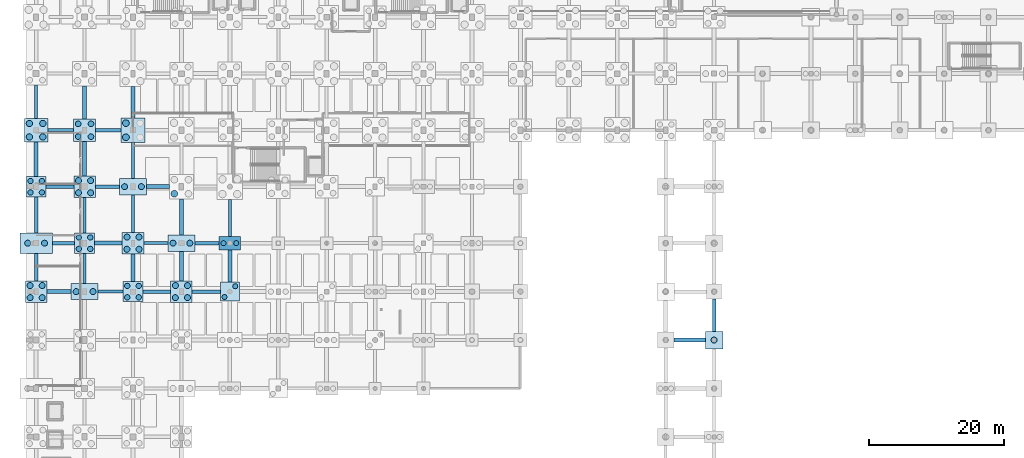
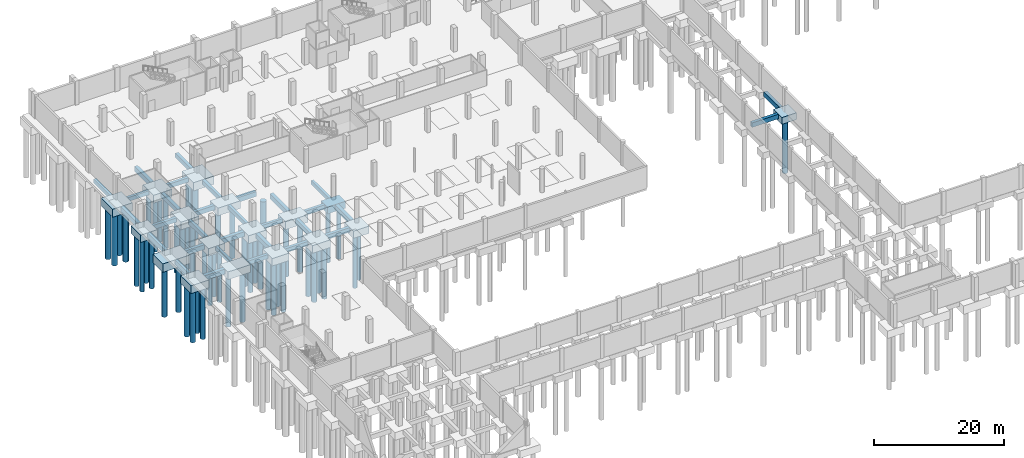
# One storey, part 6 of 35: 52 piles, 48 footings.
"""IFC4 building model written with IfcOpenShell, lengths in metres."""

from ifc_helpers import new_model, si_unit, direction, frame, origin, origin_2d, place, context, subcontext, project, spatial, rectangle, circle, extrude, material, material_profile, profile_set, type_object, element, save


model = new_model("IFC4")

# Units and contexts
model_context = context("Model", 3, precision=1e-05, world=origin(), true_north=direction((0.0, 1.0)))
body_context = subcontext(model_context, "Body", "Model", "MODEL_VIEW")
ifc_project = project(units=[si_unit("LENGTHUNIT", "METRE"), si_unit("AREAUNIT", "SQUARE_METRE"), si_unit("VOLUMEUNIT", "CUBIC_METRE"), si_unit("PLANEANGLEUNIT", "RADIAN"), si_unit("MASSUNIT", "GRAM", prefix="KILO")], contexts=[model_context])

# Site, building, storey
site_placement = place(None, origin())
site = spatial("IfcSite", under=ifc_project, at=site_placement, CompositionType="ELEMENT")
building_placement = place(site_placement, origin())
building = spatial("IfcBuilding", under=site, at=building_placement, Name="Kalluvel Institute of Natural Sciences", CompositionType="ELEMENT")
storey_placement = place(building_placement, frame((0.0, 0.0, -4.5)))
storey = spatial("IfcBuildingStorey", under=building, at=storey_placement, Name="B1", CompositionType="ELEMENT", Elevation=-4.5)

# Footings
ifc_material = material(Name="Concrete M40", Category="concrete")
footing_type_1 = type_object("IfcFootingType", Name="FB-450x750", PredefinedType="FOOTING_BEAM", material=ifc_material)
footing_1_placement = place(storey_placement, frame((25.050048828125, 78.800048828125, -1.199951171875), z_axis=(0.0, 0.0, 1.0), x_axis=(1.0, 0.0, 0.0)))
element("IfcFooting", 1, at=footing_1_placement, inside=storey, type_object=footing_type_1, Name="Foundation tie beam GB-X-080", PredefinedType="FOOTING_BEAM", context=body_context, shape_type="SweptSolid", body=[
    extrude(rectangle(XDim=3.699951171875, YDim=0.449951171875, at=origin_2d()), origin(), (0.0, 0.0, 1.0), 0.75),
])
footing_2_placement = place(storey_placement, frame((31.800048828125, 86.0, -1.199951171875), z_axis=(0.0, 0.0, 1.0), x_axis=(1.0, 0.0, 0.0)))
element("IfcFooting", 2, at=footing_2_placement, inside=storey, type_object=footing_type_1, Name="Foundation tie beam GB-X-092", PredefinedType="FOOTING_BEAM", context=body_context, shape_type="SweptSolid", body=[
    extrude(rectangle(XDim=3.60009765625, YDim=0.449951171875, at=origin_2d()), origin(), (0.0, 0.0, 1.0), 0.75),
])
footing_3_placement = place(storey_placement, frame((17.64990234375, 102.800048828125, -1.199951171875), z_axis=(0.0, 0.0, 1.0), x_axis=(1.0, 0.0, 0.0)))
element("IfcFooting", 3, at=footing_3_placement, inside=storey, type_object=footing_type_1, Name="Foundation tie beam GB-X-112", PredefinedType="FOOTING_BEAM", context=body_context, shape_type="SweptSolid", body=[
    extrude(rectangle(XDim=3.800048828125, YDim=0.449951171875, at=origin_2d()), origin(), (0.0, 0.0, 1.0), 0.75),
])
footing_4_placement = place(storey_placement, frame((14.0, 107.050048828125, -1.199951171875), z_axis=(0.0, 0.0, 1.0), x_axis=(1.0, 0.0, 0.0)))
element("IfcFooting", 4, at=footing_4_placement, inside=storey, type_object=footing_type_1, Name="Foundation tie beam GB-Y-208", PredefinedType="FOOTING_BEAM", context=body_context, shape_type="SweptSolid", body=[
    extrude(rectangle(XDim=0.449951171875, YDim=5.0, at=origin_2d()), origin(), (0.0, 0.0, 1.0), 0.75),
])
footing_5_placement = place(storey_placement, frame((21.199951171875, 82.25, -1.199951171875), z_axis=(0.0, 0.0, 1.0), x_axis=(1.0, 0.0, 0.0)))
element("IfcFooting", 5, at=footing_5_placement, inside=storey, type_object=footing_type_1, Name="Foundation tie beam GB-Y-220", PredefinedType="FOOTING_BEAM", context=body_context, shape_type="SweptSolid", body=[
    extrude(rectangle(XDim=0.449951171875, YDim=4.5, at=origin_2d()), origin(), (0.0, 0.0, 1.0), 0.75),
])
footing_6_placement = place(storey_placement, frame((28.39990234375, 90.39990234375, -1.199951171875), z_axis=(0.0, 0.0, 1.0), x_axis=(1.0, 0.0, 0.0)))
element("IfcFooting", 6, at=footing_6_placement, inside=storey, type_object=footing_type_1, Name="Foundation tie beam GB-Y-236", PredefinedType="FOOTING_BEAM", context=body_context, shape_type="SweptSolid", body=[
    extrude(rectangle(XDim=0.449951171875, YDim=5.60009765625, at=origin_2d()), origin(), (0.0, 0.0, 1.0), 0.75),
])
footing_7_placement = place(storey_placement, frame((42.800048828125, 89.75, -1.199951171875), z_axis=(0.0, 0.0, 1.0), x_axis=(1.0, 0.0, 0.0)))
element("IfcFooting", 7, at=footing_7_placement, inside=storey, type_object=footing_type_1, Name="Foundation tie beam GB-Y-260", PredefinedType="FOOTING_BEAM", context=body_context, shape_type="SweptSolid", body=[
    extrude(rectangle(XDim=0.449951171875, YDim=5.5, at=origin_2d()), origin(), (0.0, 0.0, 1.0), 0.75),
])
footing_type_2 = type_object("IfcFootingType", Name="FB-500x800", PredefinedType="FOOTING_BEAM", material=ifc_material)
footing_8_placement = place(storey_placement, frame((31.949951171875, 78.800048828125, -1.25), z_axis=(0.0, 0.0, 1.0), x_axis=(1.0, 0.0, 0.0)))
element("IfcFooting", 8, at=footing_8_placement, inside=storey, type_object=footing_type_2, Name="Foundation tie beam GB-X-081", PredefinedType="FOOTING_BEAM", context=body_context, shape_type="SweptSolid", body=[
    extrude(rectangle(XDim=4.10009765625, YDim=0.5, at=origin_2d()), origin(), (0.0, 0.0, 1.0), 0.800048828125),
])
footing_9_placement = place(storey_placement, frame((39.39990234375, 86.0, -1.25), z_axis=(0.0, 0.0, 1.0), x_axis=(1.0, 0.0, 0.0)))
element("IfcFooting", 9, at=footing_9_placement, inside=storey, type_object=footing_type_2, Name="Foundation tie beam GB-X-093", PredefinedType="FOOTING_BEAM", context=body_context, shape_type="SweptSolid", body=[
    extrude(rectangle(XDim=3.60009765625, YDim=0.5, at=origin_2d()), origin(), (0.0, 0.0, 1.0), 0.800048828125),
])
footing_10_placement = place(storey_placement, frame((17.550048828125, 94.39990234375, -1.25), z_axis=(0.0, 0.0, 1.0), x_axis=(1.0, 0.0, 0.0)))
element("IfcFooting", 10, at=footing_10_placement, inside=storey, type_object=footing_type_2, Name="Foundation tie beam GB-X-101", PredefinedType="FOOTING_BEAM", context=body_context, shape_type="SweptSolid", body=[
    extrude(rectangle(XDim=4.10009765625, YDim=0.5, at=origin_2d()), origin(), (0.0, 0.0, 1.0), 0.800048828125),
])
footing_11_placement = place(storey_placement, frame((24.72509765625, 102.800048828125, -1.25), z_axis=(0.0, 0.0, 1.0), x_axis=(1.0, 0.0, 0.0)))
element("IfcFooting", 11, at=footing_11_placement, inside=storey, type_object=footing_type_2, Name="Foundation tie beam GB-X-113", PredefinedType="FOOTING_BEAM", context=body_context, shape_type="SweptSolid", body=[
    extrude(rectangle(XDim=3.75, YDim=0.5, at=origin_2d()), origin(), (0.0, 0.0, 1.0), 0.800048828125),
])
footing_12_placement = place(storey_placement, frame((14.0, 82.449951171875, -1.25), z_axis=(0.0, 0.0, 1.0), x_axis=(1.0, 0.0, 0.0)))
element("IfcFooting", 12, at=footing_12_placement, inside=storey, type_object=footing_type_2, Name="Foundation tie beam GB-Y-205", PredefinedType="FOOTING_BEAM", context=body_context, shape_type="SweptSolid", body=[
    extrude(rectangle(XDim=0.5, YDim=4.10009765625, at=origin_2d()), origin(), (0.0, 0.0, 1.0), 0.800048828125),
])
footing_13_placement = place(storey_placement, frame((21.199951171875, 90.14990234375, -1.25), z_axis=(0.0, 0.0, 1.0), x_axis=(1.0, 0.0, 0.0)))
element("IfcFooting", 13, at=footing_13_placement, inside=storey, type_object=footing_type_2, Name="Foundation tie beam GB-Y-221", PredefinedType="FOOTING_BEAM", context=body_context, shape_type="SweptSolid", body=[
    extrude(rectangle(XDim=0.5, YDim=5.300048828125, at=origin_2d()), origin(), (0.0, 0.0, 1.0), 0.800048828125),
])
footing_14_placement = place(storey_placement, frame((28.39990234375, 98.300048828125, -1.25), z_axis=(0.0, 0.0, 1.0), x_axis=(1.0, 0.0, 0.0)))
element("IfcFooting", 14, at=footing_14_placement, inside=storey, type_object=footing_type_2, Name="Foundation tie beam GB-Y-237", PredefinedType="FOOTING_BEAM", context=body_context, shape_type="SweptSolid", body=[
    extrude(rectangle(XDim=0.5, YDim=5.39990234375, at=origin_2d()), origin(), (0.0, 0.0, 1.0), 0.800048828125),
])
footing_type_3 = type_object("IfcFootingType", Name="FB-550x850", PredefinedType="FOOTING_BEAM", material=ifc_material)
footing_15_placement = place(storey_placement, frame((111.14990234375, 71.60009765625, -0.85009765625), z_axis=(0.0, 0.0, 1.0), x_axis=(1.0, 0.0, 0.0)))
element("IfcFooting", 15, at=footing_15_placement, inside=storey, type_object=footing_type_3, Name="Foundation tie beam GB-X-078", PredefinedType="FOOTING_BEAM", context=body_context, shape_type="SweptSolid", body=[
    extrude(rectangle(XDim=4.699951171875, YDim=0.550048828125, at=origin_2d()), origin(), (0.0, 0.0, 1.0), 0.85009765625),
])
footing_16_placement = place(storey_placement, frame((39.300048828125, 78.800048828125, -1.300048828125), z_axis=(0.0, 0.0, 1.0), x_axis=(1.0, 0.0, 0.0)))
element("IfcFooting", 16, at=footing_16_placement, inside=storey, type_object=footing_type_3, Name="Foundation tie beam GB-X-082", PredefinedType="FOOTING_BEAM", context=body_context, shape_type="SweptSolid", body=[
    extrude(rectangle(XDim=4.199951171875, YDim=0.550048828125, at=origin_2d()), origin(), (0.0, 0.0, 1.0), 0.85009765625),
])
footing_17_placement = place(storey_placement, frame((18.050048828125, 86.0, -1.300048828125), z_axis=(0.0, 0.0, 1.0), x_axis=(1.0, 0.0, 0.0)))
element("IfcFooting", 17, at=footing_17_placement, inside=storey, type_object=footing_type_3, Name="Foundation tie beam GB-X-090", PredefinedType="FOOTING_BEAM", context=body_context, shape_type="SweptSolid", body=[
    extrude(rectangle(XDim=3.300048828125, YDim=0.550048828125, at=origin_2d()), origin(), (0.0, 0.0, 1.0), 0.85009765625),
])
footing_18_placement = place(storey_placement, frame((24.60009765625, 94.39990234375, -1.300048828125), z_axis=(0.0, 0.0, 1.0), x_axis=(1.0, 0.0, 0.0)))
element("IfcFooting", 18, at=footing_18_placement, inside=storey, type_object=footing_type_3, Name="Foundation tie beam GB-X-102", PredefinedType="FOOTING_BEAM", context=body_context, shape_type="SweptSolid", body=[
    extrude(rectangle(XDim=3.60009765625, YDim=0.550048828125, at=origin_2d()), origin(), (0.0, 0.0, 1.0), 0.85009765625),
])
footing_19_placement = place(storey_placement, frame((14.0, 90.199951171875, -1.300048828125), z_axis=(0.0, 0.0, 1.0), x_axis=(1.0, 0.0, 0.0)))
element("IfcFooting", 19, at=footing_19_placement, inside=storey, type_object=footing_type_3, Name="Foundation tie beam GB-Y-206", PredefinedType="FOOTING_BEAM", context=body_context, shape_type="SweptSolid", body=[
    extrude(rectangle(XDim=0.550048828125, YDim=5.39990234375, at=origin_2d()), origin(), (0.0, 0.0, 1.0), 0.85009765625),
])
footing_20_placement = place(storey_placement, frame((21.199951171875, 98.574951171875, -1.300048828125), z_axis=(0.0, 0.0, 1.0), x_axis=(1.0, 0.0, 0.0)))
element("IfcFooting", 20, at=footing_20_placement, inside=storey, type_object=footing_type_3, Name="Foundation tie beam GB-Y-222", PredefinedType="FOOTING_BEAM", context=body_context, shape_type="SweptSolid", body=[
    extrude(rectangle(XDim=0.550048828125, YDim=5.14990234375, at=origin_2d()), origin(), (0.0, 0.0, 1.0), 0.85009765625),
])
footing_21_placement = place(storey_placement, frame((28.39990234375, 106.949951171875, -1.300048828125), z_axis=(0.0, 0.0, 1.0), x_axis=(1.0, 0.0, 0.0)))
element("IfcFooting", 21, at=footing_21_placement, inside=storey, type_object=footing_type_3, Name="Foundation tie beam GB-Y-238", PredefinedType="FOOTING_BEAM", context=body_context, shape_type="SweptSolid", body=[
    extrude(rectangle(XDim=0.550048828125, YDim=4.699951171875, at=origin_2d()), origin(), (0.0, 0.0, 1.0), 0.85009765625),
])
footing_22_placement = place(storey_placement, frame((35.60009765625, 82.60009765625, -1.300048828125), z_axis=(0.0, 0.0, 1.0), x_axis=(1.0, 0.0, 0.0)))
element("IfcFooting", 22, at=footing_22_placement, inside=storey, type_object=footing_type_3, Name="Foundation tie beam GB-Y-250", PredefinedType="FOOTING_BEAM", context=body_context, shape_type="SweptSolid", body=[
    extrude(rectangle(XDim=0.550048828125, YDim=4.39990234375, at=origin_2d()), origin(), (0.0, 0.0, 1.0), 0.85009765625),
])
footing_23_placement = place(storey_placement, frame((114.800048828125, 75.300048828125, -0.85009765625), z_axis=(0.0, 0.0, 1.0), x_axis=(1.0, 0.0, 0.0)))
element("IfcFooting", 23, at=footing_23_placement, inside=storey, type_object=footing_type_3, Name="Foundation tie beam GB-Y-350", PredefinedType="FOOTING_BEAM", context=body_context, shape_type="SweptSolid", body=[
    extrude(rectangle(XDim=0.550048828125, YDim=4.800048828125, at=origin_2d()), origin(), (0.0, 0.0, 1.0), 0.85009765625),
])
footing_type_4 = type_object("IfcFootingType", Name="FB-600x900", PredefinedType="FOOTING_BEAM", material=ifc_material)
footing_24_placement = place(storey_placement, frame((17.39990234375, 78.800048828125, -1.349853515625), z_axis=(0.0, 0.0, 1.0), x_axis=(1.0, 0.0, 0.0)))
element("IfcFooting", 24, at=footing_24_placement, inside=storey, type_object=footing_type_4, Name="Foundation tie beam GB-X-079", PredefinedType="FOOTING_BEAM", context=body_context, shape_type="SweptSolid", body=[
    extrude(rectangle(XDim=3.60009765625, YDim=0.60009765625, at=origin_2d()), origin(), (0.0, 0.0, 1.0), 0.89990234375),
])
footing_25_placement = place(storey_placement, frame((24.75, 86.0, -1.349853515625), z_axis=(0.0, 0.0, 1.0), x_axis=(1.0, 0.0, 0.0)))
element("IfcFooting", 25, at=footing_25_placement, inside=storey, type_object=footing_type_4, Name="Foundation tie beam GB-X-091", PredefinedType="FOOTING_BEAM", context=body_context, shape_type="SweptSolid", body=[
    extrude(rectangle(XDim=4.10009765625, YDim=0.60009765625, at=origin_2d()), origin(), (0.0, 0.0, 1.0), 0.89990234375),
])
footing_26_placement = place(storey_placement, frame((32.10009765625, 94.39990234375, -1.349853515625), z_axis=(0.0, 0.0, 1.0), x_axis=(1.0, 0.0, 0.0)))
element("IfcFooting", 26, at=footing_26_placement, inside=storey, type_object=footing_type_4, Name="Foundation tie beam GB-X-103", PredefinedType="FOOTING_BEAM", context=body_context, shape_type="SweptSolid", body=[
    extrude(rectangle(XDim=3.39990234375, YDim=0.60009765625, at=origin_2d()), origin(), (0.0, 0.0, 1.0), 0.89990234375),
])
footing_27_placement = place(storey_placement, frame((14.0, 98.47509765625, -1.349853515625), z_axis=(0.0, 0.0, 1.0), x_axis=(1.0, 0.0, 0.0)))
element("IfcFooting", 27, at=footing_27_placement, inside=storey, type_object=footing_type_4, Name="Foundation tie beam GB-Y-207", PredefinedType="FOOTING_BEAM", context=body_context, shape_type="SweptSolid", body=[
    extrude(rectangle(XDim=0.60009765625, YDim=5.14990234375, at=origin_2d()), origin(), (0.0, 0.0, 1.0), 0.89990234375),
])
footing_28_placement = place(storey_placement, frame((21.199951171875, 106.925048828125, -1.349853515625), z_axis=(0.0, 0.0, 1.0), x_axis=(1.0, 0.0, 0.0)))
element("IfcFooting", 28, at=footing_28_placement, inside=storey, type_object=footing_type_4, Name="Foundation tie beam GB-Y-223", PredefinedType="FOOTING_BEAM", context=body_context, shape_type="SweptSolid", body=[
    extrude(rectangle(XDim=0.60009765625, YDim=4.949951171875, at=origin_2d()), origin(), (0.0, 0.0, 1.0), 0.89990234375),
])
footing_29_placement = place(storey_placement, frame((28.39990234375, 82.35009765625, -1.349853515625), z_axis=(0.0, 0.0, 1.0), x_axis=(1.0, 0.0, 0.0)))
element("IfcFooting", 29, at=footing_29_placement, inside=storey, type_object=footing_type_4, Name="Foundation tie beam GB-Y-235", PredefinedType="FOOTING_BEAM", context=body_context, shape_type="SweptSolid", body=[
    extrude(rectangle(XDim=0.60009765625, YDim=4.10009765625, at=origin_2d()), origin(), (0.0, 0.0, 1.0), 0.89990234375),
])
footing_30_placement = place(storey_placement, frame((35.60009765625, 89.89990234375, -1.349853515625), z_axis=(0.0, 0.0, 1.0), x_axis=(1.0, 0.0, 0.0)))
element("IfcFooting", 30, at=footing_30_placement, inside=storey, type_object=footing_type_4, Name="Foundation tie beam GB-Y-251", PredefinedType="FOOTING_BEAM", context=body_context, shape_type="SweptSolid", body=[
    extrude(rectangle(XDim=0.60009765625, YDim=5.39990234375, at=origin_2d()), origin(), (0.0, 0.0, 1.0), 0.89990234375),
])
footing_31_placement = place(storey_placement, frame((42.800048828125, 82.60009765625, -1.349853515625), z_axis=(0.0, 0.0, 1.0), x_axis=(1.0, 0.0, 0.0)))
element("IfcFooting", 31, at=footing_31_placement, inside=storey, type_object=footing_type_4, Name="Foundation tie beam GB-Y-259", PredefinedType="FOOTING_BEAM", context=body_context, shape_type="SweptSolid", body=[
    extrude(rectangle(XDim=0.60009765625, YDim=4.800048828125, at=origin_2d()), origin(), (0.0, 0.0, 1.0), 0.89990234375),
])
footing_type_5 = type_object("IfcFootingType", Name="PC-2600x2600x1300", PredefinedType="PILE_CAP", material=ifc_material)
footing_32_placement = place(storey_placement, frame((114.800048828125, 71.60009765625, -1.2998046875), z_axis=(0.0, 0.0, 1.0), x_axis=(1.0, 0.0, 0.0)))
element("IfcFooting", 32, at=footing_32_placement, inside=storey, type_object=footing_type_5, Name="Pile cap CAP-178", PredefinedType="PILE_CAP", context=body_context, shape_type="SweptSolid", body=[
    extrude(rectangle(XDim=2.60009765625, YDim=2.60009765625, at=origin_2d()), origin(), (0.0, 0.0, 1.0), 1.300048828125),
])
footing_type_6 = type_object("IfcFootingType", Name="PC-2800x2800x1350", PredefinedType="PILE_CAP", material=ifc_material)
footing_33_placement = place(storey_placement, frame((42.800048828125, 78.800048828125, -1.800048828125), z_axis=(0.0, 0.0, 1.0), x_axis=(1.0, 0.0, 0.0)))
element("IfcFooting", 33, at=footing_33_placement, inside=storey, type_object=footing_type_6, Name="Pile cap CAP-069", PredefinedType="PILE_CAP", context=body_context, shape_type="SweptSolid", body=[
    extrude(rectangle(XDim=2.800048828125, YDim=2.800048828125, at=origin_2d()), origin(), (0.0, 0.0, 1.0), 1.35009765625),
])
footing_type_7 = type_object("IfcFootingType", Name="PC-3000x3000x1400", PredefinedType="PILE_CAP", material=ifc_material)
for number, where, z_axis, x_axis, name in (
    (34, (14.0, 94.39990234375, -1.849853515625), (0.0, 0.0, 1.0), (1.0, 0.0, 0.0), "Pile cap CAP-012"),
    (35, (21.199951171875, 86.0, -1.849853515625), (0.0, 0.0, 1.0), (1.0, 0.0, 0.0), "Pile cap CAP-027"),
    (36, (28.39990234375, 78.800048828125, -1.849853515625), (0.0, 0.0, 1.0), (1.0, 0.0, 0.0), "Pile cap CAP-042"),
):
    element("IfcFooting", number, at=place(storey_placement, frame(where, z_axis=z_axis, x_axis=x_axis)), inside=storey, type_object=footing_type_7, Name=name, PredefinedType="PILE_CAP", context=body_context, shape_type="SweptSolid", body=[
        extrude(rectangle(XDim=3.0, YDim=3.0, at=origin_2d()), origin(), (0.0, 0.0, 1.0), 1.39990234375),
    ])
footing_type_8 = type_object("IfcFootingType", Name="PC-3200x2000x1300", PredefinedType="PILE_CAP", material=ifc_material)
footing_34_placement = place(storey_placement, frame((42.800048828125, 86.0, -1.75), z_axis=(0.0, 0.0, 1.0), x_axis=(1.0, 0.0, 0.0)))
element("IfcFooting", 37, at=footing_34_placement, inside=storey, type_object=footing_type_8, Name="Pile cap CAP-070", PredefinedType="PILE_CAP", context=body_context, shape_type="SweptSolid", body=[
    extrude(rectangle(XDim=3.199951171875, YDim=2.0, at=origin_2d()), origin(), (0.0, 0.0, 1.0), 1.300048828125),
])
footing_type_9 = type_object("IfcFootingType", Name="PC-3200x3200x1450", PredefinedType="PILE_CAP", material=ifc_material)
for number, where, z_axis, x_axis, name in (
    (38, (14.0, 78.800048828125, -1.89990234375), (0.0, 0.0, 1.0), (1.0, 0.0, 0.0), "Pile cap CAP-010"),
    (39, (21.199951171875, 94.39990234375, -1.89990234375), (0.0, 0.0, 1.0), (1.0, 0.0, 0.0), "Pile cap CAP-028"),
    (40, (28.39990234375, 86.0, -1.89990234375), (0.0, 0.0, 1.0), (1.0, 0.0, 0.0), "Pile cap CAP-043"),
    (41, (35.60009765625, 78.800048828125, -1.89990234375), (0.0, 0.0, 1.0), (1.0, 0.0, 0.0), "Pile cap CAP-058"),
):
    element("IfcFooting", number, at=place(storey_placement, frame(where, z_axis=z_axis, x_axis=x_axis)), inside=storey, type_object=footing_type_9, Name=name, PredefinedType="PILE_CAP", context=body_context, shape_type="SweptSolid", body=[
        extrude(rectangle(XDim=3.199951171875, YDim=3.199951171875, at=origin_2d()), origin(), (0.0, 0.0, 1.0), 1.449951171875),
    ])
footing_type_10 = type_object("IfcFootingType", Name="PC-3300x3300x1480", PredefinedType="PILE_CAP", material=ifc_material)
footing_35_placement = place(storey_placement, frame((21.199951171875, 102.800048828125, -1.929931640625), z_axis=(0.0, 0.0, 1.0), x_axis=(1.0, 0.0, 0.0)))
element("IfcFooting", 42, at=footing_35_placement, inside=storey, type_object=footing_type_10, Name="Pile cap CAP-029", PredefinedType="PILE_CAP", context=body_context, shape_type="SweptSolid", body=[
    extrude(rectangle(XDim=3.300048828125, YDim=3.300048828125, at=origin_2d()), origin(), (0.0, 0.0, 1.0), 1.47998046875),
])
footing_type_11 = type_object("IfcFootingType", Name="PC-3500x3500x1520", PredefinedType="PILE_CAP", material=ifc_material)
footing_36_placement = place(storey_placement, frame((14.0, 102.800048828125, -1.969970703125), z_axis=(0.0, 0.0, 1.0), x_axis=(1.0, 0.0, 0.0)))
element("IfcFooting", 43, at=footing_36_placement, inside=storey, type_object=footing_type_11, Name="Pile cap CAP-013", PredefinedType="PILE_CAP", context=body_context, shape_type="SweptSolid", body=[
    extrude(rectangle(XDim=3.5, YDim=3.5, at=origin_2d()), origin(), (0.0, 0.0, 1.0), 1.52001953125),
])
footing_type_12 = type_object("IfcFootingType", Name="PC-3600x3600x1550", PredefinedType="PILE_CAP", material=ifc_material)
footing_37_placement = place(storey_placement, frame((28.39990234375, 102.800048828125, -2.0), z_axis=(0.0, 0.0, 1.0), x_axis=(1.0, 0.0, 0.0)))
element("IfcFooting", 44, at=footing_37_placement, inside=storey, type_object=footing_type_12, Name="Pile cap CAP-045", PredefinedType="PILE_CAP", context=body_context, shape_type="SweptSolid", body=[
    extrude(rectangle(XDim=3.60009765625, YDim=3.60009765625, at=origin_2d()), origin(), (0.0, 0.0, 1.0), 1.550048828125),
])
footing_type_13 = type_object("IfcFootingType", Name="PC-4000x2400x1450", PredefinedType="PILE_CAP", material=ifc_material)
for number, where, z_axis, x_axis, name in (
    (45, (21.199951171875, 78.800048828125, -1.89990234375), (0.0, 0.0, 1.0), (1.0, 0.0, 0.0), "Pile cap CAP-026"),
    (46, (28.39990234375, 94.39990234375, -1.89990234375), (0.0, 0.0, 1.0), (1.0, 0.0, 0.0), "Pile cap CAP-044"),
    (47, (35.60009765625, 86.0, -1.89990234375), (0.0, 0.0, 1.0), (1.0, 0.0, 0.0), "Pile cap CAP-059"),
):
    element("IfcFooting", number, at=place(storey_placement, frame(where, z_axis=z_axis, x_axis=x_axis)), inside=storey, type_object=footing_type_13, Name=name, PredefinedType="PILE_CAP", context=body_context, shape_type="SweptSolid", body=[
        extrude(rectangle(XDim=4.0, YDim=2.39990234375, at=origin_2d()), origin(), (0.0, 0.0, 1.0), 1.449951171875),
    ])
footing_type_14 = type_object("IfcFootingType", Name="PC-4800x3000x1600", PredefinedType="PILE_CAP", material=ifc_material)
footing_38_placement = place(storey_placement, frame((14.0, 86.0, -2.050048828125), z_axis=(0.0, 0.0, 1.0), x_axis=(1.0, 0.0, 0.0)))
element("IfcFooting", 48, at=footing_38_placement, inside=storey, type_object=footing_type_14, Name="Pile cap CAP-011", PredefinedType="PILE_CAP", context=body_context, shape_type="SweptSolid", body=[
    extrude(rectangle(XDim=4.800048828125, YDim=3.0, at=origin_2d()), origin(), (0.0, 0.0, 1.0), 1.60009765625),
])

# Piles
ifc_material_profile_1 = material_profile(ifc_material, circle(Radius=0.5, at=origin_2d()), Name="PILE D1000")
ifc_profile_set_1 = profile_set([ifc_material_profile_1], Name="Concrete M40")
pile_type_1 = type_object("IfcPileType", Name="PILE-D1000", PredefinedType="BORED", material=ifc_profile_set_1)
for number, where, z_axis, x_axis, name in (
    (49, (27.35009765625, 101.75, -1.8798828125), (0.0, 0.0, -1.0), (1.0, 0.0, 0.0), "Bored rock-socketed pile PILE-X2735-Y10175"),
    (50, (27.35009765625, 103.85009765625, -1.8798828125), (0.0, 0.0, -1.0), (1.0, 0.0, 0.0), "Bored rock-socketed pile PILE-X2735-Y10385"),
    (51, (34.550048828125, 93.35009765625, -1.8798828125), (0.0, 0.0, -1.0), (1.0, 0.0, 0.0), "Bored rock-socketed pile PILE-X3455-Y9335"),
):
    element("IfcPile", number, at=place(storey_placement, frame(where, z_axis=z_axis, x_axis=x_axis)), inside=storey, type_object=pile_type_1, Name=name, PredefinedType="BORED", context=body_context, shape_type="SweptSolid", body=[
        extrude(circle(Radius=0.5, at=origin_2d()), origin(), (0.0, 0.0, 1.0), 9.6201171875),
    ])
ifc_material_profile_2 = material_profile(ifc_material, circle(Radius=0.375, at=origin_2d()), Name="PILE D750")
ifc_profile_set_2 = profile_set([ifc_material_profile_2], Name="Concrete M40")
pile_type_2 = type_object("IfcPileType", Name="PILE-D750", PredefinedType="BORED", material=ifc_profile_set_2)
for number, where, z_axis, x_axis, name in (
    (52, (42.0, 78.0, -1.679931640625), (0.0, 0.0, -1.0), (1.0, 0.0, 0.0), "Bored rock-socketed pile PILE-X4200-Y7800"),
    (53, (43.60009765625, 79.60009765625, -1.679931640625), (0.0, 0.0, -1.0), (1.0, 0.0, 0.0), "Bored rock-socketed pile PILE-X4360-Y7960"),
):
    element("IfcPile", number, at=place(storey_placement, frame(where, z_axis=z_axis, x_axis=x_axis)), inside=storey, type_object=pile_type_2, Name=name, PredefinedType="BORED", context=body_context, shape_type="SweptSolid", body=[
        extrude(circle(Radius=0.375, at=origin_2d()), origin(), (0.0, 0.0, 1.0), 9.820068359375),
    ])
for number, where, z_axis, x_axis, name in (
    (54, (41.85009765625, 86.0, -1.6298828125), (0.0, 0.0, -1.0), (1.0, 0.0, 0.0), "Bored rock-socketed pile PILE-X4185-Y8600"),
    (55, (43.75, 86.0, -1.6298828125), (0.0, 0.0, -1.0), (1.0, 0.0, 0.0), "Bored rock-socketed pile PILE-X4375-Y8600"),
):
    element("IfcPile", number, at=place(storey_placement, frame(where, z_axis=z_axis, x_axis=x_axis)), inside=storey, type_object=pile_type_2, Name=name, PredefinedType="BORED", context=body_context, shape_type="SweptSolid", body=[
        extrude(circle(Radius=0.375, at=origin_2d()), origin(), (0.0, 0.0, 1.0), 9.8701171875),
    ])
ifc_material_profile_3 = material_profile(ifc_material, circle(Radius=0.39990234375, at=origin_2d()), Name="PILE D800")
ifc_profile_set_3 = profile_set([ifc_material_profile_3], Name="Concrete M40")
pile_type_3 = type_object("IfcPileType", Name="PILE-D800", PredefinedType="BORED", material=ifc_profile_set_3)
for number, where, z_axis, x_axis, name in (
    (56, (13.14990234375, 93.550048828125, -1.72998046875), (0.0, 0.0, -1.0), (1.0, 0.0, 0.0), "Bored rock-socketed pile PILE-X1315-Y9355"),
    (57, (14.85009765625, 93.550048828125, -1.72998046875), (0.0, 0.0, -1.0), (1.0, 0.0, 0.0), "Bored rock-socketed pile PILE-X1485-Y9355"),
    (58, (13.14990234375, 95.25, -1.72998046875), (0.0, 0.0, -1.0), (1.0, 0.0, 0.0), "Bored rock-socketed pile PILE-X1315-Y9525"),
    (59, (14.85009765625, 95.25, -1.72998046875), (0.0, 0.0, -1.0), (1.0, 0.0, 0.0), "Bored rock-socketed pile PILE-X1485-Y9525"),
    (60, (20.35009765625, 85.14990234375, -1.72998046875), (0.0, 0.0, -1.0), (1.0, 0.0, 0.0), "Bored rock-socketed pile PILE-X2035-Y8515"),
    (61, (22.050048828125, 85.14990234375, -1.72998046875), (0.0, 0.0, -1.0), (1.0, 0.0, 0.0), "Bored rock-socketed pile PILE-X2205-Y8515"),
    (62, (20.35009765625, 86.85009765625, -1.72998046875), (0.0, 0.0, -1.0), (1.0, 0.0, 0.0), "Bored rock-socketed pile PILE-X2035-Y8685"),
    (63, (22.050048828125, 86.85009765625, -1.72998046875), (0.0, 0.0, -1.0), (1.0, 0.0, 0.0), "Bored rock-socketed pile PILE-X2205-Y8685"),
    (64, (27.550048828125, 77.949951171875, -1.72998046875), (0.0, 0.0, -1.0), (1.0, 0.0, 0.0), "Bored rock-socketed pile PILE-X2755-Y7795"),
    (65, (29.25, 77.949951171875, -1.72998046875), (0.0, 0.0, -1.0), (1.0, 0.0, 0.0), "Bored rock-socketed pile PILE-X2925-Y7795"),
    (66, (27.550048828125, 79.64990234375, -1.72998046875), (0.0, 0.0, -1.0), (1.0, 0.0, 0.0), "Bored rock-socketed pile PILE-X2755-Y7965"),
    (67, (29.25, 79.64990234375, -1.72998046875), (0.0, 0.0, -1.0), (1.0, 0.0, 0.0), "Bored rock-socketed pile PILE-X2925-Y7965"),
):
    element("IfcPile", number, at=place(storey_placement, frame(where, z_axis=z_axis, x_axis=x_axis)), inside=storey, type_object=pile_type_3, Name=name, PredefinedType="BORED", context=body_context, shape_type="SweptSolid", body=[
        extrude(circle(Radius=0.39990234375, at=origin_2d()), origin(), (0.0, 0.0, 1.0), 9.77001953125),
    ])
ifc_material_profile_4 = material_profile(ifc_material, circle(Radius=0.425048828125, at=origin_2d()), Name="PILE D850")
ifc_profile_set_4 = profile_set([ifc_material_profile_4], Name="Concrete M40")
pile_type_4 = type_object("IfcPileType", Name="PILE-D850", PredefinedType="BORED", material=ifc_profile_set_4)
for number, where, z_axis, x_axis, name in (
    (68, (20.25, 101.85009765625, -1.81005859375), (0.0, 0.0, -1.0), (1.0, 0.0, 0.0), "Bored rock-socketed pile PILE-X2025-Y10185"),
    (69, (22.14990234375, 101.85009765625, -1.81005859375), (0.0, 0.0, -1.0), (1.0, 0.0, 0.0), "Bored rock-socketed pile PILE-X2215-Y10185"),
    (70, (20.25, 103.75, -1.81005859375), (0.0, 0.0, -1.0), (1.0, 0.0, 0.0), "Bored rock-socketed pile PILE-X2025-Y10375"),
    (71, (22.14990234375, 103.75, -1.81005859375), (0.0, 0.0, -1.0), (1.0, 0.0, 0.0), "Bored rock-socketed pile PILE-X2215-Y10375"),
):
    element("IfcPile", number, at=place(storey_placement, frame(where, z_axis=z_axis, x_axis=x_axis)), inside=storey, type_object=pile_type_4, Name=name, PredefinedType="BORED", context=body_context, shape_type="SweptSolid", body=[
        extrude(circle(Radius=0.425048828125, at=origin_2d()), origin(), (0.0, 0.0, 1.0), 9.68994140625),
    ])
ifc_material_profile_5 = material_profile(ifc_material, circle(Radius=0.449951171875, at=origin_2d()), Name="PILE D900")
ifc_profile_set_5 = profile_set([ifc_material_profile_5], Name="Concrete M40")
pile_type_5 = type_object("IfcPileType", Name="PILE-D900", PredefinedType="BORED", material=ifc_profile_set_5)
for number, where, z_axis, x_axis, name in (
    (72, (13.10009765625, 77.89990234375, -1.780029296875), (0.0, 0.0, -1.0), (1.0, 0.0, 0.0), "Bored rock-socketed pile PILE-X1310-Y7790"),
    (73, (14.89990234375, 77.89990234375, -1.780029296875), (0.0, 0.0, -1.0), (1.0, 0.0, 0.0), "Bored rock-socketed pile PILE-X1490-Y7790"),
    (74, (13.10009765625, 79.699951171875, -1.780029296875), (0.0, 0.0, -1.0), (1.0, 0.0, 0.0), "Bored rock-socketed pile PILE-X1310-Y7970"),
    (75, (14.89990234375, 79.699951171875, -1.780029296875), (0.0, 0.0, -1.0), (1.0, 0.0, 0.0), "Bored rock-socketed pile PILE-X1490-Y7970"),
):
    element("IfcPile", number, at=place(storey_placement, frame(where, z_axis=z_axis, x_axis=x_axis)), inside=storey, type_object=pile_type_5, Name=name, PredefinedType="BORED", context=body_context, shape_type="SweptSolid", body=[
        extrude(circle(Radius=0.449951171875, at=origin_2d()), origin(), (0.0, 0.0, 1.0), 9.719970703125),
    ])
for number, where, z_axis, x_axis, name in (
    (76, (12.75, 86.0, -1.929931640625), (0.0, 0.0, -1.0), (1.0, 0.0, 0.0), "Bored rock-socketed pile PILE-X1275-Y8600"),
    (77, (15.25, 86.0, -1.929931640625), (0.0, 0.0, -1.0), (1.0, 0.0, 0.0), "Bored rock-socketed pile PILE-X1525-Y8600"),
):
    element("IfcPile", number, at=place(storey_placement, frame(where, z_axis=z_axis, x_axis=x_axis)), inside=storey, type_object=pile_type_5, Name=name, PredefinedType="BORED", context=body_context, shape_type="SweptSolid", body=[
        extrude(circle(Radius=0.449951171875, at=origin_2d()), origin(), (0.0, 0.0, 1.0), 9.570068359375),
    ])
for number, where, z_axis, x_axis, name in (
    (78, (19.949951171875, 78.800048828125, -1.780029296875), (0.0, 0.0, -1.0), (1.0, 0.0, 0.0), "Bored rock-socketed pile PILE-X1995-Y7880"),
    (79, (22.449951171875, 78.800048828125, -1.780029296875), (0.0, 0.0, -1.0), (1.0, 0.0, 0.0), "Bored rock-socketed pile PILE-X2245-Y7880"),
    (80, (20.300048828125, 93.5, -1.780029296875), (0.0, 0.0, -1.0), (1.0, 0.0, 0.0), "Bored rock-socketed pile PILE-X2030-Y9350"),
    (81, (22.10009765625, 93.5, -1.780029296875), (0.0, 0.0, -1.0), (1.0, 0.0, 0.0), "Bored rock-socketed pile PILE-X2210-Y9350"),
    (82, (20.300048828125, 95.300048828125, -1.780029296875), (0.0, 0.0, -1.0), (1.0, 0.0, 0.0), "Bored rock-socketed pile PILE-X2030-Y9530"),
    (83, (22.10009765625, 95.300048828125, -1.780029296875), (0.0, 0.0, -1.0), (1.0, 0.0, 0.0), "Bored rock-socketed pile PILE-X2210-Y9530"),
    (84, (27.5, 85.10009765625, -1.780029296875), (0.0, 0.0, -1.0), (1.0, 0.0, 0.0), "Bored rock-socketed pile PILE-X2750-Y8510"),
    (85, (29.300048828125, 85.10009765625, -1.780029296875), (0.0, 0.0, -1.0), (1.0, 0.0, 0.0), "Bored rock-socketed pile PILE-X2930-Y8510"),
    (86, (27.5, 86.89990234375, -1.780029296875), (0.0, 0.0, -1.0), (1.0, 0.0, 0.0), "Bored rock-socketed pile PILE-X2750-Y8690"),
    (87, (29.300048828125, 86.89990234375, -1.780029296875), (0.0, 0.0, -1.0), (1.0, 0.0, 0.0), "Bored rock-socketed pile PILE-X2930-Y8690"),
    (88, (27.14990234375, 94.39990234375, -1.780029296875), (0.0, 0.0, -1.0), (1.0, 0.0, 0.0), "Bored rock-socketed pile PILE-X2715-Y9440"),
    (89, (29.64990234375, 94.39990234375, -1.780029296875), (0.0, 0.0, -1.0), (1.0, 0.0, 0.0), "Bored rock-socketed pile PILE-X2965-Y9440"),
    (90, (34.699951171875, 77.89990234375, -1.780029296875), (0.0, 0.0, -1.0), (1.0, 0.0, 0.0), "Bored rock-socketed pile PILE-X3470-Y7790"),
    (91, (36.5, 77.89990234375, -1.780029296875), (0.0, 0.0, -1.0), (1.0, 0.0, 0.0), "Bored rock-socketed pile PILE-X3650-Y7790"),
    (92, (34.699951171875, 79.699951171875, -1.780029296875), (0.0, 0.0, -1.0), (1.0, 0.0, 0.0), "Bored rock-socketed pile PILE-X3470-Y7970"),
    (93, (36.5, 79.699951171875, -1.780029296875), (0.0, 0.0, -1.0), (1.0, 0.0, 0.0), "Bored rock-socketed pile PILE-X3650-Y7970"),
    (94, (34.35009765625, 86.0, -1.780029296875), (0.0, 0.0, -1.0), (1.0, 0.0, 0.0), "Bored rock-socketed pile PILE-X3435-Y8600"),
    (95, (36.85009765625, 86.0, -1.780029296875), (0.0, 0.0, -1.0), (1.0, 0.0, 0.0), "Bored rock-socketed pile PILE-X3685-Y8600"),
):
    element("IfcPile", number, at=place(storey_placement, frame(where, z_axis=z_axis, x_axis=x_axis)), inside=storey, type_object=pile_type_5, Name=name, PredefinedType="BORED", context=body_context, shape_type="SweptSolid", body=[
        extrude(circle(Radius=0.449951171875, at=origin_2d()), origin(), (0.0, 0.0, 1.0), 9.719970703125),
    ])
pile_placement = place(storey_placement, frame((114.800048828125, 71.60009765625, -1.179931640625), z_axis=(0.0, 0.0, -1.0), x_axis=(1.0, 0.0, 0.0)))
element("IfcPile", 96, at=pile_placement, inside=storey, type_object=pile_type_5, Name="Bored rock-socketed pile PILE-X11480-Y7160", PredefinedType="BORED", context=body_context, shape_type="SweptSolid", body=[
    extrude(circle(Radius=0.449951171875, at=origin_2d()), origin(), (0.0, 0.0, 1.0), 10.320068359375),
])
ifc_material_profile_6 = material_profile(ifc_material, circle(Radius=0.47509765625, at=origin_2d()), Name="PILE D950")
ifc_profile_set_6 = profile_set([ifc_material_profile_6], Name="Concrete M40")
pile_type_6 = type_object("IfcPileType", Name="PILE-D950", PredefinedType="BORED", material=ifc_profile_set_6)
for number, where, z_axis, x_axis, name in (
    (97, (13.0, 101.800048828125, -1.85009765625), (0.0, 0.0, -1.0), (1.0, 0.0, 0.0), "Bored rock-socketed pile PILE-X1300-Y10180"),
    (98, (15.0, 101.800048828125, -1.85009765625), (0.0, 0.0, -1.0), (1.0, 0.0, 0.0), "Bored rock-socketed pile PILE-X1500-Y10180"),
    (99, (13.0, 103.800048828125, -1.85009765625), (0.0, 0.0, -1.0), (1.0, 0.0, 0.0), "Bored rock-socketed pile PILE-X1300-Y10380"),
    (100, (15.0, 103.800048828125, -1.85009765625), (0.0, 0.0, -1.0), (1.0, 0.0, 0.0), "Bored rock-socketed pile PILE-X1500-Y10380"),
):
    element("IfcPile", number, at=place(storey_placement, frame(where, z_axis=z_axis, x_axis=x_axis)), inside=storey, type_object=pile_type_6, Name=name, PredefinedType="BORED", context=body_context, shape_type="SweptSolid", body=[
        extrude(circle(Radius=0.47509765625, at=origin_2d()), origin(), (0.0, 0.0, 1.0), 9.64990234375),
    ])

save(model, "model.ifc")
